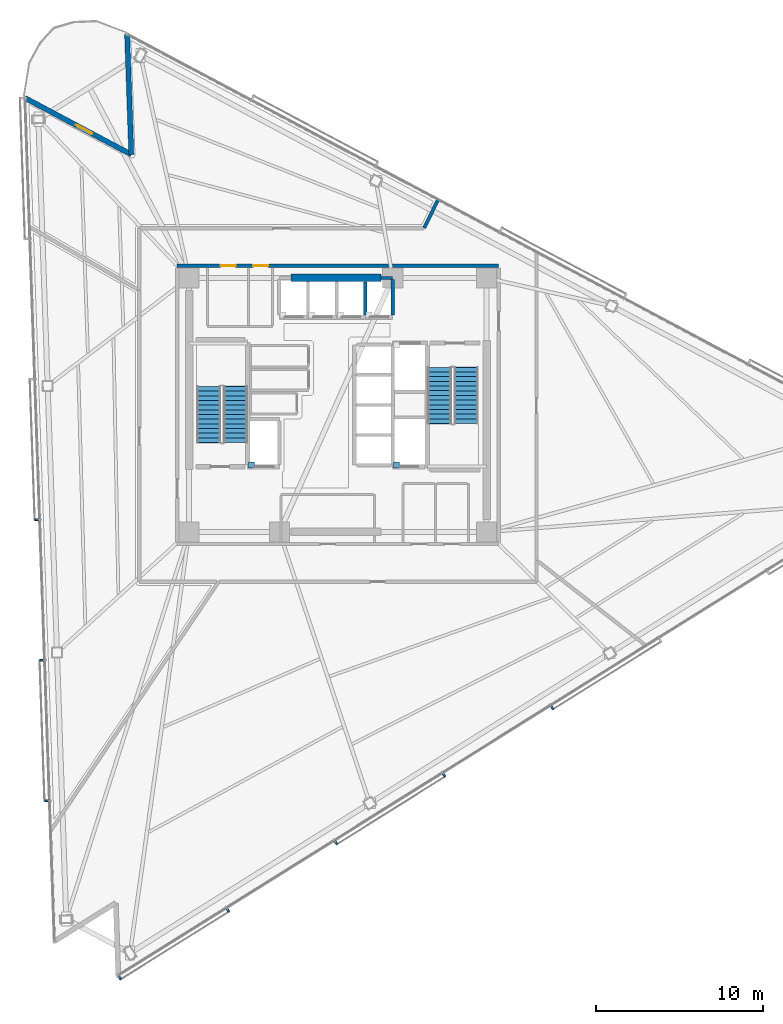
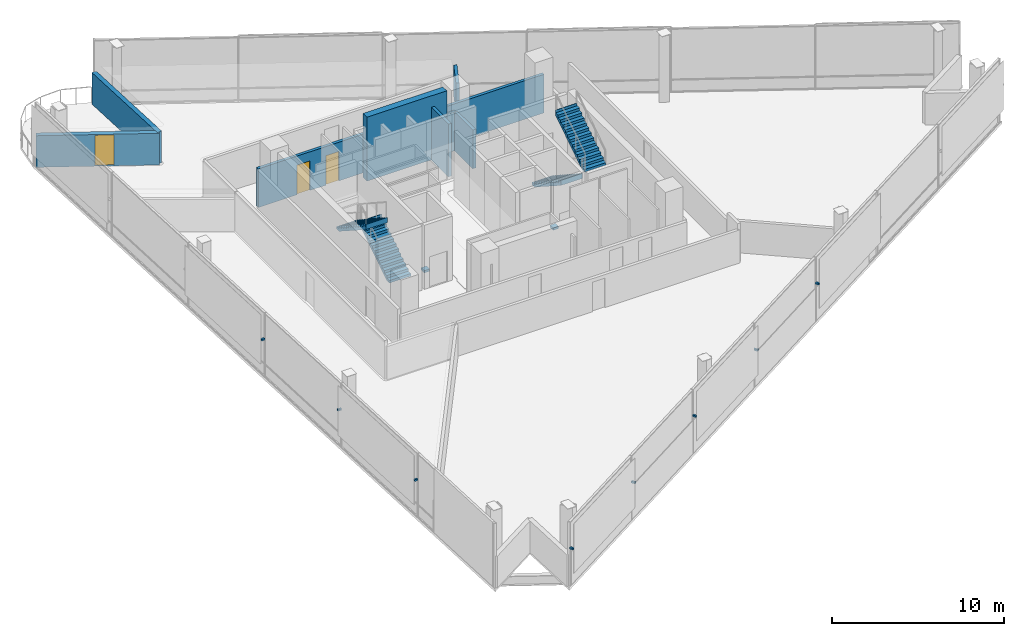
# One storey, part 14 of 19: 10 discrete accessories, 8 walls, 4 stair flights, 3 doors, 3 openings, 2 elements without a shape of their own.
"""IFC4 building model written with IfcOpenShell, lengths in metres."""

import ifcopenshell
import ifcopenshell.guid

model = None  # the IFC model being written
_history = None  # IfcOwnerHistory: only IFC2X3 demands one
_inside = {}  # id of a spatial element -> (the spatial element, [elements in it])
_under = {}  # id of a project, library or spatial element -> (it, [spatial elements below it])
_declared = {}  # id of a project -> (the project, [libraries it declares])
_typed = {}  # id of a type object -> (the type object, [elements of that type])
_made_of = {}  # id of a material, layer set ... -> (it, [elements and type objects made of it])


def new_model(schema):
    """Start an empty IFC model of exactly this schema.

    Asked for "IFC4X3", IfcOpenShell would pick the latest addendum, in which some entities
    have other attributes; the version numbers below select the first issue.
    IFC2X3 requires an IfcOwnerHistory on every rooted entity: one is made here for all.
    """
    global model, _history
    if schema == "IFC4X3":
        model = ifcopenshell.file(schema_version=(4, 3, 0, 0))
    else:
        model = ifcopenshell.file(schema=schema)
    _inside.clear()
    _under.clear()
    _declared.clear()
    _typed.clear()
    _made_of.clear()
    _history = None
    if model.schema == "IFC2X3":
        org = make("IfcOrganization", Name="unknown")
        user = make(
            "IfcPersonAndOrganization",
            ThePerson=make("IfcPerson", FamilyName="unknown"),
            TheOrganization=org,
        )
        app = make(
            "IfcApplication",
            ApplicationDeveloper=org,
            Version="unknown",
            ApplicationFullName="unknown",
            ApplicationIdentifier="unknown",
        )
        _history = make(
            "IfcOwnerHistory",
            OwningUser=user,
            OwningApplication=app,
            ChangeAction="ADDED",
            CreationDate=0,
        )
    return model


def make(cls, **values):
    """One entity of the class cls with the attributes given. An attribute that is None is left unset."""
    return model.create_entity(
        cls, **{name: value for name, value in values.items() if value is not None}
    )


def rooted(cls, **values):
    """An entity with a GlobalId (a new one), such as an element, a storey or a relation."""
    return make(cls, GlobalId=ifcopenshell.guid.new(), OwnerHistory=_history, **values)


def si_unit(unit_type, name, prefix=None):
    """IfcSIUnit, for example si_unit("LENGTHUNIT", "METRE", prefix="MILLI")."""
    return make("IfcSIUnit", UnitType=unit_type, Prefix=prefix, Name=name)


def assignment(units):
    """IfcUnitAssignment: the units of a project."""
    return None if units is None else make("IfcUnitAssignment", Units=units)


def point(xyz):
    """IfcCartesianPoint."""
    return None if xyz is None else make("IfcCartesianPoint", Coordinates=xyz)


def direction(xyz):
    """IfcDirection."""
    return None if xyz is None else make("IfcDirection", DirectionRatios=xyz)


def frame(location, z_axis=None, x_axis=None):
    """IfcAxis2Placement3D, a coordinate frame: its origin and axes. An axis left out is left unset."""
    return make(
        "IfcAxis2Placement3D",
        Location=point(location),
        Axis=direction(z_axis),
        RefDirection=direction(x_axis),
    )


def frame_2d(location, x_axis=None):
    """IfcAxis2Placement2D, a coordinate frame in the plane: its origin and x axis."""
    return make(
        "IfcAxis2Placement2D", Location=point(location), RefDirection=direction(x_axis)
    )


def origin():
    """The frame at (0, 0, 0) with its axes left unset."""
    return frame((0.0, 0.0, 0.0))


def origin_2d():
    """The frame at (0, 0) in the plane with its x axis left unset."""
    return frame_2d((0.0, 0.0))


def place(relative_to, where):
    """IfcLocalPlacement: puts the frame where relative to a parent placement (None: the world)."""
    return make(
        "IfcLocalPlacement", PlacementRelTo=relative_to, RelativePlacement=where
    )


def context(
    kind, dimensions, precision=None, world=None, true_north=None, identifier=None
):
    """IfcGeometricRepresentationContext, for example the 3D "Model" context."""
    return make(
        "IfcGeometricRepresentationContext",
        ContextIdentifier=identifier,
        ContextType=kind,
        CoordinateSpaceDimension=dimensions,
        Precision=precision,
        WorldCoordinateSystem=world,
        TrueNorth=true_north,
    )


def subcontext(parent, identifier, kind, view, scale=None):
    """IfcGeometricRepresentationSubContext, for example "Body" below "Model"."""
    return make(
        "IfcGeometricRepresentationSubContext",
        ContextIdentifier=identifier,
        ContextType=kind,
        ParentContext=parent,
        TargetScale=scale,
        TargetView=view,
    )


def project(units=None, contexts=None):
    """IfcProject with its units and contexts."""
    return rooted(
        "IfcProject",
        Name="project",
        RepresentationContexts=contexts,
        UnitsInContext=assignment(units),
    )


def spatial(cls, under=None, at=None, **own):
    """A site, building, storey or space (cls), placed at a placement, below another one or the project."""
    s = rooted(cls, ObjectPlacement=at, **own)
    if under is not None:
        _under.setdefault(under.id(), (under, []))[1].append(s)
    return s


def polyline(points):
    """IfcPolyline through the points."""
    return make("IfcPolyline", Points=[point(p) for p in points])


def profile(cls, at=None, kind="AREA", **sizes):
    """A parametric profile (cls). Its sizes go by their IFC names, for example OverallWidth=200.0."""
    return make(cls, ProfileType=kind, Position=at, **sizes)


def rectangle(**sizes):
    """IfcRectangleProfileDef."""
    return profile("IfcRectangleProfileDef", **sizes)


def outline(outer, holes=None, kind="AREA"):
    """IfcArbitraryClosedProfileDef: a profile drawn as a closed curve; with holes, ...WithVoids."""
    if holes is None:
        return make("IfcArbitraryClosedProfileDef", ProfileType=kind, OuterCurve=outer)
    return make(
        "IfcArbitraryProfileDefWithVoids",
        ProfileType=kind,
        OuterCurve=outer,
        InnerCurves=holes,
    )


def extrude(swept, where, along, depth):
    """IfcExtrudedAreaSolid: the profile swept, set in the frame where, extruded along a direction by depth."""
    return make(
        "IfcExtrudedAreaSolid",
        SweptArea=swept,
        Position=where,
        ExtrudedDirection=direction(along),
        Depth=depth,
    )


def shape(context_of_items, identifier, shape_type, items):
    """IfcShapeRepresentation: the items that make up one representation, for example the "Body"."""
    return make(
        "IfcShapeRepresentation",
        ContextOfItems=context_of_items,
        RepresentationIdentifier=identifier,
        RepresentationType=shape_type,
        Items=items,
    )


def material(Name=None, Category=None):
    """IfcMaterial."""
    return make("IfcMaterial", Name=Name, Category=Category)


def layer(
    of_material, thickness, ventilated=None, Name=None, Category=None, Priority=None
):
    """IfcMaterialLayer: one layer of a wall or slab, of a material (None: an air gap)."""
    return make(
        "IfcMaterialLayer",
        Material=of_material,
        LayerThickness=thickness,
        IsVentilated=ventilated,
        Name=Name,
        Category=Category,
        Priority=Priority,
    )


def layer_set(layers, Name=None):
    """IfcMaterialLayerSet."""
    return make("IfcMaterialLayerSet", MaterialLayers=layers, LayerSetName=Name)


def made_of(thing, what):
    """Note that an element or type object is made of a material, layer set ...; save() writes the relation."""
    if what is not None:
        _made_of.setdefault(what.id(), (what, []))[1].append(thing)
    return thing


def type_object(cls, material=None, **own):
    """A type object (cls), such as IfcWallType, which elements share."""
    return made_of(rooted(cls, **own), material)


def element(
    cls,
    number,
    at=None,
    inside=None,
    cuts=None,
    type_object=None,
    material=None,
    context=None,
    identifier="Body",
    shape_type=None,
    held_by="IfcProductDefinitionShape",
    body=None,
    shapes=None,
    **own,
):
    """One element of the class cls, such as IfcWall. Its Tag is "e" and its number.

    at: its placement. inside: the storey or other place that contains it. cuts: it is an
    opening in that element (IfcRelVoidsElement). A single representation is given by context,
    identifier, shape_type and body (its items); several are given by shapes. held_by: the class
    of the entity that holds the representations. save() writes the other relations.
    """
    e = rooted(cls, Tag="e%d" % number, ObjectPlacement=at, **own)
    if body is not None:
        shapes = [shape(context, identifier, shape_type, body)]
    if shapes is not None:
        e.Representation = make(held_by, Representations=shapes)
    if inside is not None:
        _inside.setdefault(inside.id(), (inside, []))[1].append(e)
    if cuts is not None:
        rooted(
            "IfcRelVoidsElement", RelatingBuildingElement=cuts, RelatedOpeningElement=e
        )
    if type_object is not None:
        _typed.setdefault(type_object.id(), (type_object, []))[1].append(e)
    return made_of(e, material)


def fill(opening, filler):
    """IfcRelFillsElement: the door or window that sits in an opening."""
    return rooted(
        "IfcRelFillsElement",
        RelatingOpeningElement=opening,
        RelatedBuildingElement=filler,
    )


def aggregate(whole, parts):
    """IfcRelAggregates: a whole, such as a stair, and the parts it consists of."""
    return rooted("IfcRelAggregates", RelatingObject=whole, RelatedObjects=parts)


def save(model, path):
    """Write the relations noted so far, then the file.

    IfcRelAggregates (storeys below a building ...), IfcRelContainedInSpatialStructure (elements
    in a storey), IfcRelDefinesByType, IfcRelAssociatesMaterial and IfcRelDeclares: one each for
    every whole, place, type object, material and project.
    """
    for whole, parts in _under.values():
        aggregate(whole, parts)
    for where, things in _inside.values():
        rooted(
            "IfcRelContainedInSpatialStructure",
            RelatedElements=things,
            RelatingStructure=where,
        )
    for kind, things in _typed.values():
        rooted("IfcRelDefinesByType", RelatedObjects=things, RelatingType=kind)
    for what, things in _made_of.values():
        rooted("IfcRelAssociatesMaterial", RelatedObjects=things, RelatingMaterial=what)
    for by, libraries in _declared.values():
        rooted("IfcRelDeclares", RelatingContext=by, RelatedDefinitions=libraries)
    model.write(path)


model = new_model("IFC4")

# Units and contexts
model_context = context("Model", 3, precision=1e-05, world=origin(), true_north=direction((0.0, 1.0)))
body_context = subcontext(model_context, "Body", "Model", "MODEL_VIEW")
ifc_project = project(units=[si_unit("LENGTHUNIT", "METRE"), si_unit("AREAUNIT", "SQUARE_METRE"), si_unit("VOLUMEUNIT", "CUBIC_METRE"), si_unit("PLANEANGLEUNIT", "RADIAN"), si_unit("MASSUNIT", "GRAM", prefix="KILO")], contexts=[model_context])

# Site, building, storey
site_placement = place(None, origin())
site = spatial("IfcSite", under=ifc_project, at=site_placement, CompositionType="ELEMENT")
building_placement = place(site_placement, origin())
building = spatial("IfcBuilding", under=site, at=building_placement, Name="Tharavind Bronze Gate", CompositionType="ELEMENT")
storey_placement = place(building_placement, frame((0.0, 0.0, 160.39990234375)))
storey = spatial("IfcBuildingStorey", under=building, at=storey_placement, Name="L41", CompositionType="ELEMENT", Elevation=160.39990234375)

# Wall
ifc_material_1 = material(Name="Concrete C40/50", Category="concrete")
ifc_layer_1 = layer(ifc_material_1, 0.300048828125)
ifc_layer_set_1 = layer_set([ifc_layer_1], Name="Concrete C40/50")
wall_type_1 = type_object("IfcWallType", Name="EXTERIOR SPANDREL WALL 300", PredefinedType="STANDARD", material=ifc_layer_set_1)
wall_1_placement = place(storey_placement, frame((-12.614013671875, 22.179931640625, 0.0), z_axis=(0.0, 0.0, 1.0), x_axis=(0.034925918675, -0.999389903994, 0.0)))
element("IfcWall", 1, at=wall_1_placement, inside=storey, type_object=wall_type_1, Name="L41 notch cheek wall 1A", PredefinedType="STANDARD", context=body_context, shape_type="SweptSolid", body=[
    extrude(rectangle(XDim=7.199951171875, YDim=0.300048828125, at=frame_2d((3.60009765625, 0.0))), origin(), (0.0, 0.0, 1.0), 2.25),
])

# Wall, opening, door
wall_2_placement = place(storey_placement, frame((-12.362548828125, 14.984375, 0.0), z_axis=(0.0, 0.0, 1.0), x_axis=(-0.882950149473, 0.469466754463, 0.0)))
wall_2 = element("IfcWall", 2, at=wall_2_placement, inside=storey, type_object=wall_type_1, Name="L41 notch cheek wall 1B", PredefinedType="STANDARD", context=body_context, shape_type="SweptSolid", body=[
    extrude(rectangle(XDim=7.199951171875, YDim=0.300048828125, at=frame_2d((3.60009765625, 0.0))), origin(), (0.0, 0.0, 1.0), 2.25),
])
opening_1_placement = place(wall_2_placement, frame((2.654052734375, 0.0, 0.0)))
opening_1 = element("IfcOpeningElement", 3, at=opening_1_placement, cuts=wall_2, Name="Opening ED04", PredefinedType="OPENING", context=body_context, shape_type="SweptSolid", body=[
    extrude(rectangle(XDim=1.10009765625, YDim=2.199951171875, at=frame_2d((0.550048828125, 1.10009765625))), frame((0.0, 0.15990234375, 0.0), z_axis=(0.0, -1.0, 0.0), x_axis=(1.0, 0.0, 0.0)), (0.0, 0.0, 1.0), 0.320048828125),
])
ifc_material_2 = material(Name="Bronze Aluminium & Toughened Glass", Category="aluminium")
door_type_1 = type_object("IfcDoorType", Name="TREE BALCONY ACCESS DOOR 1100X2200", OperationType="SINGLE_SWING_LEFT", PredefinedType="DOOR", material=ifc_material_2)
door_1_placement = place(opening_1_placement, frame((1.10009765625, 0.0, 0.0), z_axis=(0.0, 0.0, 1.0), x_axis=(-1.0, 0.0, 0.0)))
door_1 = element("IfcDoor", 4, at=door_1_placement, inside=storey, type_object=door_type_1, Name="L41 tree balcony access door", OperationType="SINGLE_SWING_LEFT", OverallHeight=2.199951171875, OverallWidth=1.10009765625, PredefinedType="DOOR", context=body_context, shape_type="SweptSolid", body=[
    extrude(rectangle(XDim=1.10009765625, YDim=2.199951171875, at=frame_2d((0.550048828125, 1.10009765625))), frame((0.0, 0.02490234375, 0.0), z_axis=(0.0, -1.0, 0.0), x_axis=(1.0, 0.0, 0.0)), (0.0, 0.0, 1.0), 0.050048828125),
])
fill(opening_1, door_1)

# Wall, openings, doors
ifc_material_3 = material(Name="Aerated Concrete Block", Category="concrete")
ifc_layer_2 = layer(ifc_material_3, 0.199951171875)
ifc_layer_set_2 = layer_set([ifc_layer_2], Name="Aerated Concrete Block")
wall_type_2 = type_object("IfcWallType", Name="FIRE RATED PARTITION 200", PredefinedType="PARTITIONING", material=ifc_layer_set_2)
wall_3_placement = place(storey_placement, frame((9.6201171875, 8.320068359375, 0.0), z_axis=(0.0, 0.0, 1.0), x_axis=(-1.0, 0.0, 0.0)))
wall_3 = element("IfcWall", 5, at=wall_3_placement, inside=storey, type_object=wall_type_2, Name="L41 north core corridor wall", PredefinedType="PARTITIONING", context=body_context, shape_type="SweptSolid", body=[
    extrude(rectangle(XDim=19.240234375, YDim=0.199951171875, at=frame_2d((9.6201171875, 0.0))), origin(), (0.0, 0.0, 1.0), 2.75),
])
opening_2_placement = place(wall_3_placement, frame((15.7451171875, 0.0, 0.0)))
opening_2 = element("IfcOpeningElement", 6, at=opening_2_placement, cuts=wall_3, Name="Opening ID07", PredefinedType="OPENING", context=body_context, shape_type="SweptSolid", body=[
    extrude(rectangle(XDim=0.89990234375, YDim=2.10009765625, at=frame_2d((0.449951171875, 1.050048828125))), frame((0.0, 0.11009765625, 0.0), z_axis=(0.0, -1.0, 0.0), x_axis=(1.0, 0.0, 0.0)), (0.0, 0.0, 1.0), 0.219951171875),
])
opening_3_placement = place(wall_3_placement, frame((13.794921875, 0.0, 0.0)))
opening_3 = element("IfcOpeningElement", 7, at=opening_3_placement, cuts=wall_3, Name="Opening ID07", PredefinedType="OPENING", context=body_context, shape_type="SweptSolid", body=[
    extrude(rectangle(XDim=0.89990234375, YDim=2.10009765625, at=frame_2d((0.449951171875, 1.050048828125))), frame((0.0, 0.11009765625, 0.0), z_axis=(0.0, -1.0, 0.0), x_axis=(1.0, 0.0, 0.0)), (0.0, 0.0, 1.0), 0.219951171875),
])
ifc_material_4 = material(Name="Galvanised Fire Steel", Category="steel")
door_type_2 = type_object("IfcDoorType", Name="PLANT AND RISER FIRE DOOR 900X2100", OperationType="SINGLE_SWING_LEFT", PredefinedType="DOOR", material=ifc_material_4)
door_2_placement = place(opening_2_placement, origin())
door_2 = element("IfcDoor", 8, at=door_2_placement, inside=storey, type_object=door_type_2, Name="L41 Electrical Metering Room fire door", OperationType="SINGLE_SWING_LEFT", OverallHeight=2.10009765625, OverallWidth=0.89990234375, PredefinedType="DOOR", context=body_context, shape_type="SweptSolid", body=[
    extrude(rectangle(XDim=0.89990234375, YDim=2.10009765625, at=frame_2d((0.449951171875, 1.050048828125))), frame((0.0, 0.02490234375, 0.0), z_axis=(0.0, -1.0, 0.0), x_axis=(1.0, 0.0, 0.0)), (0.0, 0.0, 1.0), 0.050048828125),
])
fill(opening_2, door_2)
door_3_placement = place(opening_3_placement, origin())
door_3 = element("IfcDoor", 9, at=door_3_placement, inside=storey, type_object=door_type_2, Name="L41 Linen Cupboard fire door", OperationType="SINGLE_SWING_LEFT", OverallHeight=2.10009765625, OverallWidth=0.89990234375, PredefinedType="DOOR", context=body_context, shape_type="SweptSolid", body=[
    extrude(rectangle(XDim=0.89990234375, YDim=2.10009765625, at=frame_2d((0.449951171875, 1.050048828125))), frame((0.0, 0.02490234375, 0.0), z_axis=(0.0, -1.0, 0.0), x_axis=(1.0, 0.0, 0.0)), (0.0, 0.0, 1.0), 0.050048828125),
])
fill(opening_3, door_3)

# Walls
wall_4_placement = place(storey_placement, frame((5.98193359375, 12.264892578125, 0.0), z_axis=(0.0, 0.0, 1.0), x_axis=(-0.438366708416, -0.898796211025, 0.0)))
element("IfcWall", 10, at=wall_4_placement, inside=storey, type_object=wall_type_2, Name="L41 Innovation Maker Lab partition", PredefinedType="PARTITIONING", context=body_context, shape_type="SweptSolid", body=[
    extrude(rectangle(XDim=1.859130859375, YDim=0.199951171875, at=frame_2d((0.9296875, 0.0))), origin(), (0.0, 0.0, 1.0), 2.25),
])
ifc_material_5 = material(Name="Concrete C60/75", Category="concrete")
ifc_layer_3 = layer(ifc_material_5, 0.449951171875)
ifc_layer_set_3 = layer_set([ifc_layer_3], Name="Concrete C60/75")
wall_type_3 = type_object("IfcWallType", Name="RC CORE SHEAR WALL 450", PredefinedType="SHEAR", material=ifc_layer_set_3)
wall_5_placement = place(storey_placement, frame((-2.800048828125, 7.60009765625, 0.0), z_axis=(0.0, 0.0, 1.0), x_axis=(1.0, 0.0, 0.0)))
element("IfcWall", 11, at=wall_5_placement, inside=storey, type_object=wall_type_3, Name="L41 north core shear wall", PredefinedType="SHEAR", context=body_context, shape_type="SweptSolid", body=[
    extrude(rectangle(XDim=5.380126953125, YDim=0.449951171875, at=frame_2d((2.68994140625, 0.0))), origin(), (0.0, 0.0, 1.0), 4.55517578125),
])
ifc_layer_4 = layer(ifc_material_1, 0.199951171875)
ifc_layer_set_4 = layer_set([ifc_layer_4], Name="Concrete C40/50")
wall_type_4 = type_object("IfcWallType", Name="SHAFT ENCLOSURE WALL 200", PredefinedType="PARTITIONING", material=ifc_layer_set_4)
wall_6_placement = place(storey_placement, frame((1.637451171875, 5.3798828125, 0.0), z_axis=(0.0, 0.0, 1.0), x_axis=(0.0, 1.0, 0.0)))
element("IfcWall", 12, at=wall_6_placement, inside=storey, type_object=wall_type_4, Name="L41 lift PL7 shaft E enclosure wall", PredefinedType="PARTITIONING", context=body_context, shape_type="SweptSolid", body=[
    extrude(rectangle(XDim=1.990234375, YDim=0.199951171875, at=frame_2d((0.9951171875, 0.0))), origin(), (0.0, 0.0, 1.0), 3.75),
])
wall_7_placement = place(storey_placement, frame((2.580078125, 7.60009765625, 0.0), z_axis=(0.0, 0.0, 1.0), x_axis=(1.0, 0.0, 0.0)))
element("IfcWall", 13, at=wall_7_placement, inside=storey, type_object=wall_type_4, Name="L41 lift PL8 shaft N enclosure wall", PredefinedType="PARTITIONING", context=body_context, shape_type="SweptSolid", body=[
    extrude(rectangle(XDim=0.699951171875, YDim=0.199951171875, at=frame_2d((0.35009765625, 0.0))), origin(), (0.0, 0.0, 1.0), 2.75),
])
wall_8_placement = place(storey_placement, frame((3.280029296875, 5.3798828125, 0.0), z_axis=(0.0, 0.0, 1.0), x_axis=(0.0, 1.0, 0.0)))
element("IfcWall", 14, at=wall_8_placement, inside=storey, type_object=wall_type_4, Name="L41 lift PL8 shaft E enclosure wall", PredefinedType="PARTITIONING", context=body_context, shape_type="SweptSolid", body=[
    extrude(rectangle(XDim=2.115234375, YDim=0.199951171875, at=frame_2d((1.0576171875, 0.0))), origin(), (0.0, 0.0, 1.0), 2.75),
])

# Stair, stair flights
stair_type = type_object("IfcStairType", Name="CORE HALF TURN STAIR 1450", PredefinedType="HALF_TURN_STAIR", material=ifc_material_1)
stair_1_placement = place(storey_placement, origin())
stair_1 = element("IfcStair", 15, at=stair_1_placement, inside=storey, type_object=stair_type, Name="L41 Protected Exit Stair ST1", PredefinedType="HALF_TURN_STAIR")
stair_flight_type = type_object("IfcStairFlightType", Name="CORE STAIR FLIGHT 1450", PredefinedType="STRAIGHT", material=ifc_material_1)
stair_flight_1_placement = place(storey_placement, frame((-6.125, -2.25, 0.0), z_axis=(0.0, 0.0, 1.0), x_axis=(0.0, 1.0, 0.0)))
stair_flight_1 = element("IfcStairFlight", 16, at=stair_flight_1_placement, type_object=stair_flight_type, Name="ST1 flight 1", NumberOfRisers=13, NumberOfTreads=12, PredefinedType="STRAIGHT", RiserHeight=0.182692308, TreadLength=0.28, context=body_context, shape_type="SweptSolid", body=[
    extrude(outline(polyline([(0.0, 0.0), (0.0, 0.1826171875), (0.280029296875, 0.1826171875), (0.280029296875, 0.365478515625), (0.56005859375, 0.365478515625), (0.56005859375, 0.548095703125), (0.840087890625, 0.548095703125), (0.840087890625, 0.730712890625), (1.1201171875, 0.730712890625), (1.1201171875, 0.91357421875), (1.39990234375, 0.91357421875), (1.39990234375, 1.09619140625), (1.679931640625, 1.09619140625), (1.679931640625, 1.27880859375), (1.9599609375, 1.27880859375), (1.9599609375, 1.46142578125), (2.239990234375, 1.46142578125), (2.239990234375, 1.644287109375), (2.52001953125, 1.644287109375), (2.52001953125, 1.826904296875), (2.800048828125, 1.826904296875), (2.800048828125, 2.009521484375), (3.080078125, 2.009521484375), (3.080078125, 2.1923828125), (3.360107421875, 2.1923828125), (3.360107421875, 2.375), (3.39599609375, 2.375), (3.39599609375, 2.013427734375), (0.2744140625, 0.0), (0.0, 0.0)])), frame((0.0, 0.72509765625, 0.0), z_axis=(0.0, -1.0, 0.0), x_axis=(1.0, 0.0, 0.0)), (0.0, 0.0, 1.0), 1.449951171875),
])
stair_flight_2_placement = place(storey_placement, frame((-7.72509765625, 1.110107421875, 2.375), z_axis=(0.0, 0.0, 1.0), x_axis=(0.0, -1.0, 0.0)))
stair_flight_2 = element("IfcStairFlight", 17, at=stair_flight_2_placement, type_object=stair_flight_type, Name="ST1 flight 2", NumberOfRisers=13, NumberOfTreads=12, PredefinedType="STRAIGHT", RiserHeight=0.182692308, TreadLength=0.28, context=body_context, shape_type="SweptSolid", body=[
    extrude(outline(polyline([(0.0, 0.0), (0.0, 0.1826171875), (0.280029296875, 0.1826171875), (0.280029296875, 0.365478515625), (0.56005859375, 0.365478515625), (0.56005859375, 0.548095703125), (0.840087890625, 0.548095703125), (0.840087890625, 0.730712890625), (1.1201171875, 0.730712890625), (1.1201171875, 0.91357421875), (1.39990234375, 0.91357421875), (1.39990234375, 1.09619140625), (1.679931640625, 1.09619140625), (1.679931640625, 1.27880859375), (1.9599609375, 1.27880859375), (1.9599609375, 1.46142578125), (2.239990234375, 1.46142578125), (2.239990234375, 1.644287109375), (2.52001953125, 1.644287109375), (2.52001953125, 1.826904296875), (2.800048828125, 1.826904296875), (2.800048828125, 2.009521484375), (3.080078125, 2.009521484375), (3.080078125, 2.1923828125), (3.360107421875, 2.1923828125), (3.360107421875, 2.375), (3.39599609375, 2.375), (3.39599609375, 2.013427734375), (0.2744140625, 0.0), (0.0, 0.0)])), frame((0.0, 0.72509765625, 0.0), z_axis=(0.0, -1.0, 0.0), x_axis=(1.0, 0.0, 0.0)), (0.0, 0.0, 1.0), 1.449951171875),
])
aggregate(stair_1, [stair_flight_1, stair_flight_2])

stair_2_placement = place(storey_placement, origin())
stair_2 = element("IfcStair", 18, at=stair_2_placement, inside=storey, type_object=stair_type, Name="L41 Protected Exit Stair ST2", PredefinedType="HALF_TURN_STAIR")
stair_flight_3_placement = place(storey_placement, frame((6.074951171875, 2.25, 0.0), z_axis=(0.0, 0.0, 1.0), x_axis=(0.0, -1.0, 0.0)))
stair_flight_3 = element("IfcStairFlight", 19, at=stair_flight_3_placement, type_object=stair_flight_type, Name="ST2 flight 1", NumberOfRisers=13, NumberOfTreads=12, PredefinedType="STRAIGHT", RiserHeight=0.182692308, TreadLength=0.28, context=body_context, shape_type="SweptSolid", body=[
    extrude(outline(polyline([(0.0, 0.0), (0.0, 0.1826171875), (0.280029296875, 0.1826171875), (0.280029296875, 0.365478515625), (0.56005859375, 0.365478515625), (0.56005859375, 0.548095703125), (0.840087890625, 0.548095703125), (0.840087890625, 0.730712890625), (1.1201171875, 0.730712890625), (1.1201171875, 0.91357421875), (1.39990234375, 0.91357421875), (1.39990234375, 1.09619140625), (1.679931640625, 1.09619140625), (1.679931640625, 1.27880859375), (1.9599609375, 1.27880859375), (1.9599609375, 1.46142578125), (2.239990234375, 1.46142578125), (2.239990234375, 1.644287109375), (2.52001953125, 1.644287109375), (2.52001953125, 1.826904296875), (2.800048828125, 1.826904296875), (2.800048828125, 2.009521484375), (3.080078125, 2.009521484375), (3.080078125, 2.1923828125), (3.360107421875, 2.1923828125), (3.360107421875, 2.375), (3.39599609375, 2.375), (3.39599609375, 2.013427734375), (0.2744140625, 0.0), (0.0, 0.0)])), frame((0.0, 0.72509765625, 0.0), z_axis=(0.0, -1.0, 0.0), x_axis=(1.0, 0.0, 0.0)), (0.0, 0.0, 1.0), 1.449951171875),
])
stair_flight_4_placement = place(storey_placement, frame((7.675048828125, -1.110107421875, 2.375), z_axis=(0.0, 0.0, 1.0), x_axis=(0.0, 1.0, 0.0)))
stair_flight_4 = element("IfcStairFlight", 20, at=stair_flight_4_placement, type_object=stair_flight_type, Name="ST2 flight 2", NumberOfRisers=13, NumberOfTreads=12, PredefinedType="STRAIGHT", RiserHeight=0.182692308, TreadLength=0.28, context=body_context, shape_type="SweptSolid", body=[
    extrude(outline(polyline([(0.0, 0.0), (0.0, 0.1826171875), (0.280029296875, 0.1826171875), (0.280029296875, 0.365478515625), (0.56005859375, 0.365478515625), (0.56005859375, 0.548095703125), (0.840087890625, 0.548095703125), (0.840087890625, 0.730712890625), (1.1201171875, 0.730712890625), (1.1201171875, 0.91357421875), (1.39990234375, 0.91357421875), (1.39990234375, 1.09619140625), (1.679931640625, 1.09619140625), (1.679931640625, 1.27880859375), (1.9599609375, 1.27880859375), (1.9599609375, 1.46142578125), (2.239990234375, 1.46142578125), (2.239990234375, 1.644287109375), (2.52001953125, 1.644287109375), (2.52001953125, 1.826904296875), (2.800048828125, 1.826904296875), (2.800048828125, 2.009521484375), (3.080078125, 2.009521484375), (3.080078125, 2.1923828125), (3.360107421875, 2.1923828125), (3.360107421875, 2.375), (3.39599609375, 2.375), (3.39599609375, 2.013427734375), (0.2744140625, 0.0), (0.0, 0.0)])), frame((0.0, 0.72509765625, 0.0), z_axis=(0.0, -1.0, 0.0), x_axis=(1.0, 0.0, 0.0)), (0.0, 0.0, 1.0), 1.449951171875),
])
aggregate(stair_2, [stair_flight_3, stair_flight_4])

# Discrete accessories
ifc_material_6 = material(Name="Galvanised Steel S355", Category="steel")
discrete_accessory_type_1 = type_object("IfcDiscreteAccessoryType", Name="LIFT GUIDE RAIL BRACKET", PredefinedType="BRACKET", material=ifc_material_6)
for number, where, z_axis, x_axis, name in (
    (21, (-5.179931640625, -3.580078125, 1.1201171875), (0.0, 0.0, 1.0), (1.0, 0.0, 0.0), "Lift FFL1 guide rail bracket at L41"),
    (22, (3.5, -3.580078125, 1.1201171875), (0.0, 0.0, 1.0), (1.0, 0.0, 0.0), "Lift SVL1 guide rail bracket at L41"),
):
    element("IfcDiscreteAccessory", number, at=place(storey_placement, frame(where, z_axis=z_axis, x_axis=x_axis)), inside=storey, type_object=discrete_accessory_type_1, Name=name, PredefinedType="BRACKET", context=body_context, shape_type="SweptSolid", body=[
        extrude(rectangle(XDim=0.360107421875, YDim=0.360107421875, at=origin_2d()), origin(), (0.0, 0.0, 1.0), 0.159912109375),
    ])
ifc_material_7 = material(Name="Stainless Steel 316", Category="steel")
discrete_accessory_type_2 = type_object("IfcDiscreteAccessoryType", Name="SOLAR SCREEN STANDOFF BRACKET", PredefinedType="BRACKET", material=ifc_material_7)
for number, where, z_axis, x_axis, name in (
    (23, (-18.018798828125, -6.8701171875, 2.66748046875), (0.0, 0.0, 1.0), (0.034899496703, -0.999390827019, 0.0), "CW-L41-S1 solar screen bracket 3.2"),
    (24, (-17.72509765625, -15.279541015625, 2.66748046875), (0.0, 0.0, 1.0), (0.034899496703, -0.999390827019, 0.0), "CW-L41-S1 solar screen bracket 5.1"),
    (25, (-17.431396484375, -23.68896484375, 2.66748046875), (0.0, 0.0, 1.0), (0.034899496703, -0.999390827019, 0.0), "CW-L41-S1 solar screen bracket 5.2"),
    (26, (-13.048095703125, -34.27294921875, 2.66748046875), (0.0, 0.0, 1.0), (0.848048096156, 0.529919264233, 0.0), "CW-L41-S2 solar screen bracket 1.1"),
    (27, (-6.582763671875, -30.23291015625, 2.66748046875), (0.0, 0.0, 1.0), (0.848048096156, 0.529919264233, 0.0), "CW-L41-S2 solar screen bracket 1.2"),
    (28, (-0.1171875, -26.19287109375, 2.66748046875), (0.0, 0.0, 1.0), (0.848048096156, 0.529919264233, 0.0), "CW-L41-S2 solar screen bracket 3.1"),
    (29, (6.34814453125, -22.15283203125, 2.66748046875), (0.0, 0.0, 1.0), (0.848048096156, 0.529919264233, 0.0), "CW-L41-S2 solar screen bracket 3.2"),
    (30, (12.813720703125, -18.11279296875, 2.66748046875), (0.0, 0.0, 1.0), (0.848048096156, 0.529919264233, 0.0), "CW-L41-S2 solar screen bracket 5.1"),
):
    element("IfcDiscreteAccessory", number, at=place(storey_placement, frame(where, z_axis=z_axis, x_axis=x_axis)), inside=storey, type_object=discrete_accessory_type_2, Name=name, PredefinedType="BRACKET", context=body_context, shape_type="SweptSolid", body=[
        extrude(rectangle(XDim=0.1201171875, YDim=0.239990234375, at=origin_2d()), origin(), (0.0, 0.0, 1.0), 0.1201171875),
    ])

save(model, "model.ifc")
